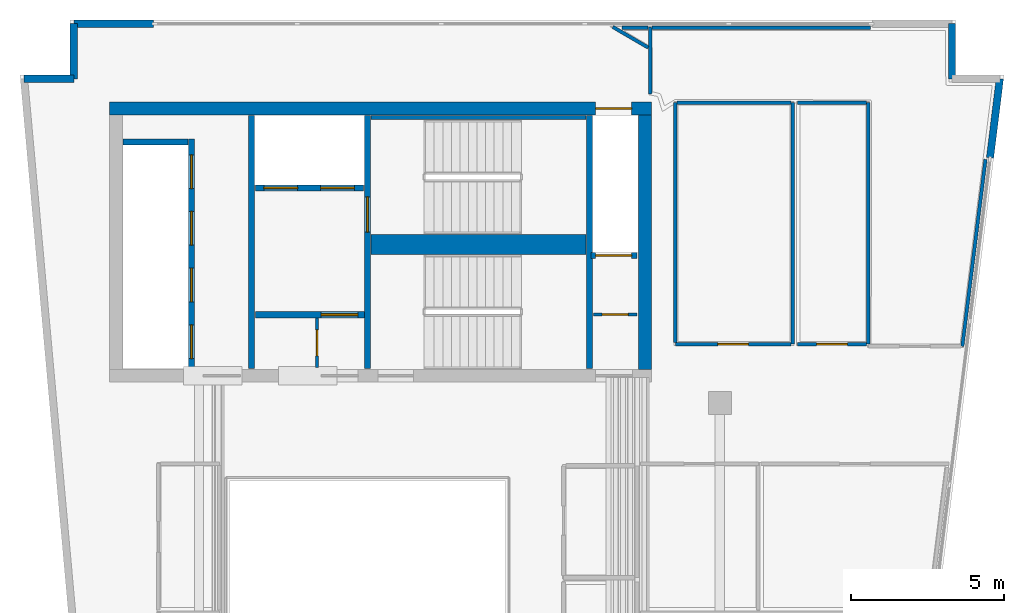
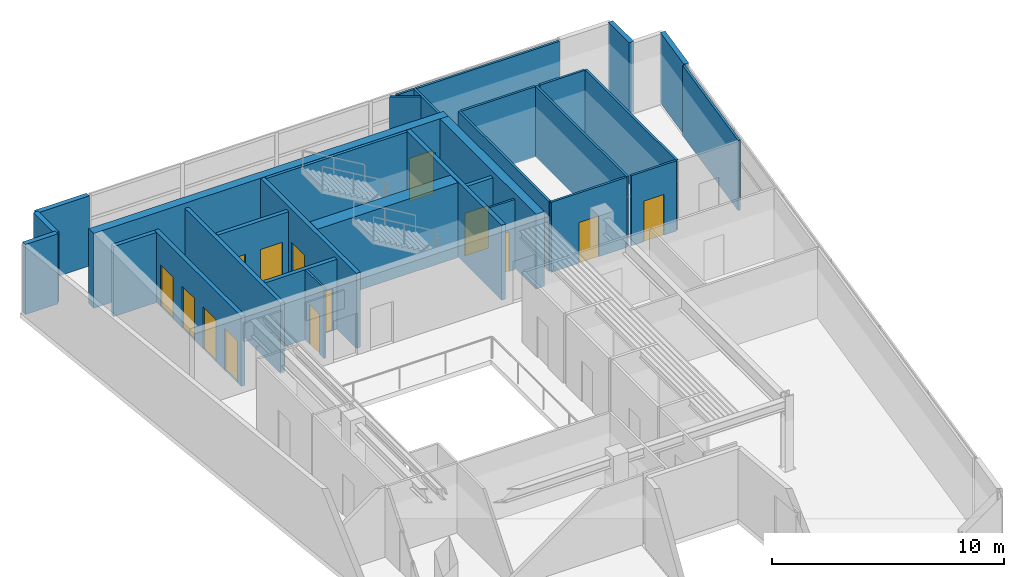
# One storey, part 5 of 8: 31 walls, 14 doors, 14 openings.
"""IFC4 building model written with IfcOpenShell, lengths in metres."""

from ifc_helpers import new_model, si_unit, direction, frame, frame_2d, origin, place, context, subcontext, project, spatial, rectangle, extrude, material, layer, layer_set, type_object, element, fill, save


model = new_model("IFC4")

# Units and contexts
model_context = context("Model", 3, precision=1e-05, world=origin(), true_north=direction((0.0, 1.0)))
body_context = subcontext(model_context, "Body", "Model", "MODEL_VIEW")
ifc_project = project(units=[si_unit("LENGTHUNIT", "METRE"), si_unit("AREAUNIT", "SQUARE_METRE"), si_unit("VOLUMEUNIT", "CUBIC_METRE"), si_unit("PLANEANGLEUNIT", "RADIAN"), si_unit("MASSUNIT", "GRAM", prefix="KILO")], contexts=[model_context])

# Site, building, storey
site_placement = place(None, origin())
site = spatial("IfcSite", under=ifc_project, at=site_placement, CompositionType="ELEMENT")
building_placement = place(site_placement, origin())
building = spatial("IfcBuilding", under=site, at=building_placement, Name="Caeloran Harvest Quay", CompositionType="ELEMENT")
storey_placement = place(building_placement, frame((0.0, 0.0, 268.550048828125)))
storey = spatial("IfcBuildingStorey", under=building, at=storey_placement, Name="L64", CompositionType="ELEMENT", Elevation=268.550048828125)

# Walls
ifc_material_1 = material(Name="Precast concrete C50/60", Category="concrete")
ifc_layer_1 = layer(ifc_material_1, 0.239990234375, Name="Precast concrete C50/60")
ifc_layer_set_1 = layer_set([ifc_layer_1], Name="Precast concrete C50/60")
wall_type_1 = type_object("IfcWallType", Name="ENV-WALL-EW-240", PredefinedType="STANDARD", material=ifc_layer_set_1)
wall_1_placement = place(storey_placement, frame((2.793212890625, 41.580078125, 0.0), z_axis=(0.0, 0.0, 1.0), x_axis=(1.0, 0.0, 0.0)))
element("IfcWall", 1, at=wall_1_placement, inside=storey, type_object=wall_type_1, Name="L64 Exterior Precast Concrete Facade Wall 4", PredefinedType="STANDARD", context=body_context, shape_type="SweptSolid", body=[
    extrude(rectangle(XDim=1.626708984375, YDim=0.239990234375, at=frame_2d((0.8134765625, 0.0))), origin(), (0.0, 0.0, 1.0), 3.699951171875),
])
wall_2_placement = place(storey_placement, frame((4.419921875, 41.580078125, 0.0), z_axis=(0.0, 0.0, 1.0), x_axis=(0.0, 1.0, 0.0)))
element("IfcWall", 2, at=wall_2_placement, inside=storey, type_object=wall_type_1, Name="L64 Exterior Precast Concrete Facade Wall 5", PredefinedType="STANDARD", context=body_context, shape_type="SweptSolid", body=[
    extrude(rectangle(XDim=1.7998046875, YDim=0.239990234375, at=frame_2d((0.89990234375, 0.0))), origin(), (0.0, 0.0, 1.0), 3.699951171875),
])
wall_3_placement = place(storey_placement, frame((4.419921875, 43.3798828125, 0.0), z_axis=(0.0, 0.0, 1.0), x_axis=(1.0, 0.0, 0.0)))
element("IfcWall", 3, at=wall_3_placement, inside=storey, type_object=wall_type_1, Name="L64 Exterior Facade Corner Pier Wall 6A", PredefinedType="STANDARD", context=body_context, shape_type="SweptSolid", body=[
    extrude(rectangle(XDim=2.60009765625, YDim=0.239990234375, at=frame_2d((1.300048828125, 0.0))), origin(), (0.0, 0.0, 1.0), 3.699951171875),
])
wall_4_placement = place(storey_placement, frame((33.080078125, 43.3798828125, 0.0), z_axis=(0.0, 0.0, 1.0), x_axis=(0.0, -1.0, 0.0)))
element("IfcWall", 4, at=wall_4_placement, inside=storey, type_object=wall_type_1, Name="L64 Exterior Precast Concrete Facade Wall 7", PredefinedType="STANDARD", context=body_context, shape_type="SweptSolid", body=[
    extrude(rectangle(XDim=1.7998046875, YDim=0.239990234375, at=frame_2d((0.89990234375, 0.0))), origin(), (0.0, 0.0, 1.0), 3.699951171875),
])
wall_5_placement = place(storey_placement, frame((34.640869140625, 41.580078125, 0.0), z_axis=(0.0, 0.0, 1.0), x_axis=(-0.123191073593, -0.992382970121, 0.0)))
element("IfcWall", 5, at=wall_5_placement, inside=storey, type_object=wall_type_1, Name="L64 Exterior Facade Corner Pier Wall 9A", PredefinedType="STANDARD", context=body_context, shape_type="SweptSolid", body=[
    extrude(rectangle(XDim=2.60009765625, YDim=0.239990234375, at=frame_2d((1.300048828125, 0.0))), origin(), (0.0, 0.0, 1.0), 3.699951171875),
])

# Wall, opening, door
ifc_material_2 = material(Name="Fire-Resisting Gypsum Core Riser Partition", Category="gypsum")
ifc_layer_2 = layer(ifc_material_2, 0.10009765625, Name="Fire-Resisting Gypsum Core Riser Partition")
ifc_layer_set_2 = layer_set([ifc_layer_2], Name="Fire-Resisting Gypsum Core Riser Partition")
wall_type_2 = type_object("IfcWallType", Name="INT-WALL-PW-100", PredefinedType="PARTITIONING", material=ifc_layer_set_2)
wall_6_placement = place(storey_placement, frame((12.360107421875, 32.159912109375, 0.0), z_axis=(0.0, 0.0, 1.0), x_axis=(0.0, 1.0, 0.0)))
wall_6 = element("IfcWall", 6, at=wall_6_placement, inside=storey, type_object=wall_type_2, Name="L64 Core Store Partition Wall", PredefinedType="PARTITIONING", context=body_context, shape_type="SweptSolid", body=[
    extrude(rectangle(XDim=1.6201171875, YDim=0.10009765625, at=frame_2d((0.81005859375, 0.0))), origin(), (0.0, 0.0, 1.0), 3.699951171875),
])
opening_1_placement = place(wall_6_placement, frame((0.3798828125, 0.0, 0.0)))
opening_1 = element("IfcOpeningElement", 7, at=opening_1_placement, cuts=wall_6, Name="Opening SV-01", PredefinedType="OPENING", context=body_context, shape_type="SweptSolid", body=[
    extrude(rectangle(XDim=0.85009765625, YDim=2.10009765625, at=frame_2d((0.425048828125, 1.050048828125))), frame((0.0, 0.06005859375, 0.0), z_axis=(0.0, -1.0, 0.0), x_axis=(1.0, 0.0, 0.0)), (0.0, 0.0, 1.0), 0.1201171875),
])
ifc_material_3 = material(Name="Galvanized Painted Steel", Category="steel")
door_type_1 = type_object("IfcDoorType", Name="INTDOOR-SV-01", OperationType="NOTDEFINED", PredefinedType="DOOR", material=ifc_material_3)
door_1_placement = place(opening_1_placement, origin())
door_1 = element("IfcDoor", 8, at=door_1_placement, inside=storey, type_object=door_type_1, Name="L64 Core Service Room Access Door", OperationType="SINGLE_SWING_LEFT", OverallHeight=2.10009765625, OverallWidth=0.85009765625, PredefinedType="DOOR", context=body_context, shape_type="SweptSolid", body=[
    extrude(rectangle(XDim=0.85009765625, YDim=2.10009765625, at=frame_2d((0.425048828125, 1.050048828125))), frame((0.0, 0.02490234375, 0.0), z_axis=(0.0, -1.0, 0.0), x_axis=(1.0, 0.0, 0.0)), (0.0, 0.0, 1.0), 0.050048828125),
])
fill(opening_1, door_1)

wall_7_placement = place(storey_placement, frame((21.3798828125, 33.889892578125, 0.0), z_axis=(0.0, 0.0, 1.0), x_axis=(1.0, 0.0, 0.0)))
wall_7 = element("IfcWall", 9, at=wall_7_placement, inside=storey, type_object=wall_type_2, Name="L64 Cleaner Store Partition Wall", PredefinedType="PARTITIONING", context=body_context, shape_type="SweptSolid", body=[
    extrude(rectangle(XDim=1.420166015625, YDim=0.10009765625, at=frame_2d((0.7099609375, 0.0))), origin(), (0.0, 0.0, 1.0), 3.699951171875),
])
opening_2_placement = place(wall_7_placement, frame((0.280029296875, 0.0, 0.0)))
opening_2 = element("IfcOpeningElement", 10, at=opening_2_placement, cuts=wall_7, Name="Opening SV-01", PredefinedType="OPENING", context=body_context, shape_type="SweptSolid", body=[
    extrude(rectangle(XDim=0.85009765625, YDim=2.10009765625, at=frame_2d((0.425048828125, 1.050048828125))), frame((0.0, 0.06005859375, 0.0), z_axis=(0.0, -1.0, 0.0), x_axis=(1.0, 0.0, 0.0)), (0.0, 0.0, 1.0), 0.1201171875),
])
door_2_placement = place(opening_2_placement, origin())
door_2 = element("IfcDoor", 11, at=door_2_placement, inside=storey, type_object=door_type_1, Name="L64 Cleaner Supply Store Access Door", OperationType="SINGLE_SWING_RIGHT", OverallHeight=2.10009765625, OverallWidth=0.85009765625, PredefinedType="DOOR", context=body_context, shape_type="SweptSolid", body=[
    extrude(rectangle(XDim=0.85009765625, YDim=2.10009765625, at=frame_2d((0.425048828125, 1.050048828125))), frame((0.0, 0.02490234375, 0.0), z_axis=(0.0, -1.0, 0.0), x_axis=(1.0, 0.0, 0.0)), (0.0, 0.0, 1.0), 0.050048828125),
])
fill(opening_2, door_2)

# Wall
ifc_material_4 = material(Name="Single-Stud Acoustic Gypsum Office Partition", Category="gypsum")
ifc_layer_3 = layer(ifc_material_4, 0.112060546875, Name="Single-Stud Acoustic Gypsum Office Partition")
ifc_layer_set_3 = layer_set([ifc_layer_3], Name="Single-Stud Acoustic Gypsum Office Partition")
wall_type_3 = type_object("IfcWallType", Name="INT-WALL-PW-112", PredefinedType="PARTITIONING", material=ifc_layer_set_3)
wall_8_placement = place(storey_placement, frame((27.8798828125, 40.800048828125, 0.0), z_axis=(0.0, 0.0, 1.0), x_axis=(0.0, -1.0, 0.0)))
element("IfcWall", 12, at=wall_8_placement, inside=storey, type_object=wall_type_3, Name="L64 Crop Phenotyping West Laboratory Partition Wall", PredefinedType="PARTITIONING", context=body_context, shape_type="SweptSolid", body=[
    extrude(rectangle(XDim=7.880126953125, YDim=0.112060546875, at=frame_2d((3.93994140625, 0.0))), origin(), (0.0, 0.0, 1.0), 3.699951171875),
])

# Wall, opening, door
wall_9_placement = place(storey_placement, frame((27.819091796875, 32.919921875, 0.0), z_axis=(0.0, 0.0, 1.0), x_axis=(-1.0, 0.0, 0.0)))
wall_9 = element("IfcWall", 13, at=wall_9_placement, inside=storey, type_object=wall_type_3, Name="L64 Crop Phenotyping West Laboratory Partition Wall", PredefinedType="PARTITIONING", context=body_context, shape_type="SweptSolid", body=[
    extrude(rectangle(XDim=3.76904296875, YDim=0.112060546875, at=frame_2d((1.884521484375, 0.0))), origin(), (0.0, 0.0, 1.0), 3.699951171875),
])
opening_3_placement = place(wall_9_placement, frame((1.384521484375, 0.0, 0.0)))
opening_3 = element("IfcOpeningElement", 14, at=opening_3_placement, cuts=wall_9, Name="Opening ID-01", PredefinedType="OPENING", context=body_context, shape_type="SweptSolid", body=[
    extrude(rectangle(XDim=1.0, YDim=2.14990234375, at=frame_2d((0.5, 1.074951171875))), frame((0.0, 0.06591796875, 0.0), z_axis=(0.0, -1.0, 0.0), x_axis=(1.0, 0.0, 0.0)), (0.0, 0.0, 1.0), 0.132080078125),
])
ifc_material_5 = material(Name="FSC Solid-Core Ash Timber and Acoustic Seal", Category="wood")
door_type_2 = type_object("IfcDoorType", Name="INTDOOR-ID-01", OperationType="NOTDEFINED", PredefinedType="DOOR", material=ifc_material_5)
door_3_placement = place(opening_3_placement, origin())
door_3 = element("IfcDoor", 15, at=door_3_placement, inside=storey, type_object=door_type_2, Name="L64 Crop Phenotyping West Laboratory Access Door", OperationType="SINGLE_SWING_LEFT", OverallHeight=2.14990234375, OverallWidth=1.0, PredefinedType="DOOR", context=body_context, shape_type="SweptSolid", body=[
    extrude(rectangle(XDim=1.0, YDim=2.14990234375, at=frame_2d((0.5, 1.074951171875))), frame((0.0, 0.02490234375, 0.0), z_axis=(0.0, -1.0, 0.0), x_axis=(1.0, 0.0, 0.0)), (0.0, 0.0, 1.0), 0.050048828125),
])
fill(opening_3, door_3)

# Walls
wall_10_placement = place(storey_placement, frame((24.050048828125, 32.98095703125, 0.0), z_axis=(0.0, 0.0, 1.0), x_axis=(0.0, 1.0, 0.0)))
element("IfcWall", 16, at=wall_10_placement, inside=storey, type_object=wall_type_3, Name="L64 Crop Phenotyping West Laboratory Partition Wall", PredefinedType="PARTITIONING", context=body_context, shape_type="SweptSolid", body=[
    extrude(rectangle(XDim=7.819091796875, YDim=0.112060546875, at=frame_2d((3.90966796875, 0.0))), origin(), (0.0, 0.0, 1.0), 3.699951171875),
])
wall_11_placement = place(storey_placement, frame((24.111083984375, 40.800048828125, 0.0), z_axis=(0.0, 0.0, 1.0), x_axis=(1.0, 0.0, 0.0)))
element("IfcWall", 17, at=wall_11_placement, inside=storey, type_object=wall_type_3, Name="L64 Crop Phenotyping West Laboratory Partition Wall", PredefinedType="PARTITIONING", context=body_context, shape_type="SweptSolid", body=[
    extrude(rectangle(XDim=3.7080078125, YDim=0.112060546875, at=frame_2d((1.85400390625, 0.0))), origin(), (0.0, 0.0, 1.0), 3.699951171875),
])
wall_12_placement = place(storey_placement, frame((30.35009765625, 40.800048828125, 0.0), z_axis=(0.0, 0.0, 1.0), x_axis=(0.0, -1.0, 0.0)))
element("IfcWall", 18, at=wall_12_placement, inside=storey, type_object=wall_type_3, Name="L64 Genomics Sequencing East Studio Partition Wall", PredefinedType="PARTITIONING", context=body_context, shape_type="SweptSolid", body=[
    extrude(rectangle(XDim=7.880126953125, YDim=0.112060546875, at=frame_2d((3.93994140625, 0.0))), origin(), (0.0, 0.0, 1.0), 3.699951171875),
])

# Wall, opening, door
wall_13_placement = place(storey_placement, frame((30.2890625, 32.919921875, 0.0), z_axis=(0.0, 0.0, 1.0), x_axis=(-1.0, 0.0, 0.0)))
wall_13 = element("IfcWall", 19, at=wall_13_placement, inside=storey, type_object=wall_type_3, Name="L64 Genomics Sequencing East Studio Partition Wall", PredefinedType="PARTITIONING", context=body_context, shape_type="SweptSolid", body=[
    extrude(rectangle(XDim=2.2490234375, YDim=0.112060546875, at=frame_2d((1.12451171875, 0.0))), origin(), (0.0, 0.0, 1.0), 3.699951171875),
])
opening_4_placement = place(wall_13_placement, frame((0.62451171875, 0.0, 0.0)))
opening_4 = element("IfcOpeningElement", 20, at=opening_4_placement, cuts=wall_13, Name="Opening ID-01", PredefinedType="OPENING", context=body_context, shape_type="SweptSolid", body=[
    extrude(rectangle(XDim=1.0, YDim=2.14990234375, at=frame_2d((0.5, 1.074951171875))), frame((0.0, 0.06591796875, 0.0), z_axis=(0.0, -1.0, 0.0), x_axis=(1.0, 0.0, 0.0)), (0.0, 0.0, 1.0), 0.132080078125),
])
door_4_placement = place(opening_4_placement, origin())
door_4 = element("IfcDoor", 21, at=door_4_placement, inside=storey, type_object=door_type_2, Name="L64 Genomics Sequencing East Studio Access Door", OperationType="SINGLE_SWING_RIGHT", OverallHeight=2.14990234375, OverallWidth=1.0, PredefinedType="DOOR", context=body_context, shape_type="SweptSolid", body=[
    extrude(rectangle(XDim=1.0, YDim=2.14990234375, at=frame_2d((0.5, 1.074951171875))), frame((0.0, 0.02490234375, 0.0), z_axis=(0.0, -1.0, 0.0), x_axis=(1.0, 0.0, 0.0)), (0.0, 0.0, 1.0), 0.050048828125),
])
fill(opening_4, door_4)

# Walls
wall_14_placement = place(storey_placement, frame((28.0400390625, 40.800048828125, 0.0), z_axis=(0.0, 0.0, 1.0), x_axis=(1.0, 0.0, 0.0)))
element("IfcWall", 22, at=wall_14_placement, inside=storey, type_object=wall_type_3, Name="L64 Genomics Sequencing East Studio Partition Wall", PredefinedType="PARTITIONING", context=body_context, shape_type="SweptSolid", body=[
    extrude(rectangle(XDim=2.2490234375, YDim=0.112060546875, at=frame_2d((1.12451171875, 0.0))), origin(), (0.0, 0.0, 1.0), 3.699951171875),
])
wall_15_placement = place(storey_placement, frame((23.22998046875, 41.093017578125, 0.0), z_axis=(0.0, 0.0, 1.0), x_axis=(-0.002685455238, 0.999996394159, 0.0)))
element("IfcWall", 23, at=wall_15_placement, inside=storey, type_object=wall_type_3, Name="International Policy Conference Room 9 Partition Wall", PredefinedType="PARTITIONING", context=body_context, shape_type="SweptSolid", body=[
    extrude(rectangle(XDim=2.181884765625, YDim=0.112060546875, at=frame_2d((1.0908203125, 0.0))), origin(), (0.0, 0.0, 1.0), 3.699951171875),
])
wall_16_placement = place(storey_placement, frame((23.164794921875, 42.599609375, 0.0), z_axis=(0.0, 0.0, 1.0), x_axis=(-0.863606966756, 0.504165654295, 0.0)))
element("IfcWall", 24, at=wall_16_placement, inside=storey, type_object=wall_type_3, Name="International Policy Conference Room 9 Partition Wall", PredefinedType="PARTITIONING", context=body_context, shape_type="SweptSolid", body=[
    extrude(rectangle(XDim=1.33935546875, YDim=0.112060546875, at=frame_2d((0.669677734375, 0.0))), origin(), (0.0, 0.0, 1.0), 3.699951171875),
])
wall_17_placement = place(storey_placement, frame((22.31396484375, 43.239990234375, 0.0), z_axis=(0.0, 0.0, 1.0), x_axis=(1.0, 0.0, 0.0)))
element("IfcWall", 25, at=wall_17_placement, inside=storey, type_object=wall_type_3, Name="International Policy Conference Room 9 Partition Wall", PredefinedType="PARTITIONING", context=body_context, shape_type="SweptSolid", body=[
    extrude(rectangle(XDim=0.84912109375, YDim=0.112060546875, at=frame_2d((0.424560546875, 0.0))), origin(), (0.0, 0.0, 1.0), 3.699951171875),
])
wall_18_placement = place(storey_placement, frame((23.28515625, 43.239990234375, 0.0), z_axis=(0.0, 0.0, 1.0), x_axis=(1.0, 0.0, 0.0)))
element("IfcWall", 26, at=wall_18_placement, inside=storey, type_object=wall_type_3, Name="International Policy Conference Room 9 Partition Wall", PredefinedType="PARTITIONING", context=body_context, shape_type="SweptSolid", body=[
    extrude(rectangle(XDim=7.1298828125, YDim=0.112060546875, at=frame_2d((3.56494140625, 0.0))), origin(), (0.0, 0.0, 1.0), 3.699951171875),
])
wall_19_placement = place(storey_placement, frame((34.17333984375, 38.95263671875, 0.0), z_axis=(0.0, 0.0, 1.0), x_axis=(-0.123155137196, -0.992387430484, 0.0)))
element("IfcWall", 27, at=wall_19_placement, inside=storey, type_object=wall_type_3, Name="International Policy Conference Room 9 Partition Wall", PredefinedType="PARTITIONING", context=body_context, shape_type="SweptSolid", body=[
    extrude(rectangle(XDim=6.1494140625, YDim=0.112060546875, at=frame_2d((3.07470703125, 0.0))), origin(), (0.0, 0.0, 1.0), 3.699951171875),
])

# Wall, openings, doors
ifc_material_6 = material(Name="Concrete C50/60", Category="concrete")
ifc_layer_4 = layer(ifc_material_6, 0.199951171875, Name="Concrete C50/60")
ifc_layer_set_4 = layer_set([ifc_layer_4], Name="Concrete C50/60")
wall_type_4 = type_object("IfcWallType", Name="INT-WALL-SW-200", PredefinedType="PARTITIONING", material=ifc_layer_set_4)
wall_20_placement = place(storey_placement, frame((8.260009765625, 32.1201171875, 0.0), z_axis=(0.0, 0.0, 1.0), x_axis=(0.0, 1.0, 0.0)))
wall_20 = element("IfcWall", 28, at=wall_20_placement, inside=storey, type_object=wall_type_4, Name="L64 Bank 3 Lift Shaft Wall", PredefinedType="PARTITIONING", context=body_context, shape_type="SweptSolid", body=[
    extrude(rectangle(XDim=7.5, YDim=0.199951171875, at=frame_2d((3.75, 0.0))), origin(), (0.0, 0.0, 1.0), 3.699951171875),
])
opening_5_placement = place(wall_20_placement, frame((0.330078125, 0.0, 0.0)))
opening_5 = element("IfcOpeningElement", 29, at=opening_5_placement, cuts=wall_20, Name="Opening LD-01", PredefinedType="OPENING", context=body_context, shape_type="SweptSolid", body=[
    extrude(rectangle(XDim=1.10009765625, YDim=2.199951171875, at=frame_2d((0.550048828125, 1.10009765625))), frame((0.0, 0.10986328125, 0.0), z_axis=(0.0, -1.0, 0.0), x_axis=(1.0, 0.0, 0.0)), (0.0, 0.0, 1.0), 0.219970703125),
])
opening_6_placement = place(wall_20_placement, frame((2.179931640625, 0.0, 0.0)))
opening_6 = element("IfcOpeningElement", 30, at=opening_6_placement, cuts=wall_20, Name="Opening LD-01", PredefinedType="OPENING", context=body_context, shape_type="SweptSolid", body=[
    extrude(rectangle(XDim=1.10009765625, YDim=2.199951171875, at=frame_2d((0.550048828125, 1.10009765625))), frame((0.0, 0.10986328125, 0.0), z_axis=(0.0, -1.0, 0.0), x_axis=(1.0, 0.0, 0.0)), (0.0, 0.0, 1.0), 0.219970703125),
])
opening_7_placement = place(wall_20_placement, frame((4.030029296875, 0.0, 0.0)))
opening_7 = element("IfcOpeningElement", 31, at=opening_7_placement, cuts=wall_20, Name="Opening LD-01", PredefinedType="OPENING", context=body_context, shape_type="SweptSolid", body=[
    extrude(rectangle(XDim=1.10009765625, YDim=2.199951171875, at=frame_2d((0.550048828125, 1.10009765625))), frame((0.0, 0.10986328125, 0.0), z_axis=(0.0, -1.0, 0.0), x_axis=(1.0, 0.0, 0.0)), (0.0, 0.0, 1.0), 0.219970703125),
])
opening_8_placement = place(wall_20_placement, frame((5.8798828125, 0.0, 0.0)))
opening_8 = element("IfcOpeningElement", 32, at=opening_8_placement, cuts=wall_20, Name="Opening LD-01", PredefinedType="OPENING", context=body_context, shape_type="SweptSolid", body=[
    extrude(rectangle(XDim=1.10009765625, YDim=2.199951171875, at=frame_2d((0.550048828125, 1.10009765625))), frame((0.0, 0.10986328125, 0.0), z_axis=(0.0, -1.0, 0.0), x_axis=(1.0, 0.0, 0.0)), (0.0, 0.0, 1.0), 0.219970703125),
])
ifc_material_7 = material(Name="Stainless Steel Grade 316", Category="steel")
door_type_3 = type_object("IfcDoorType", Name="INTDOOR-LD-01", OperationType="NOTDEFINED", PredefinedType="DOOR", material=ifc_material_7)
door_5_placement = place(opening_5_placement, origin())
door_5 = element("IfcDoor", 33, at=door_5_placement, inside=storey, type_object=door_type_3, Name="Lift P3-1 Sliding Landing Door (L64)", OperationType="DOUBLE_DOOR_SLIDING", OverallHeight=2.199951171875, OverallWidth=1.10009765625, PredefinedType="DOOR", context=body_context, shape_type="SweptSolid", body=[
    extrude(rectangle(XDim=1.10009765625, YDim=2.199951171875, at=frame_2d((0.550048828125, 1.10009765625))), frame((0.0, 0.02490234375, 0.0), z_axis=(0.0, -1.0, 0.0), x_axis=(1.0, 0.0, 0.0)), (0.0, 0.0, 1.0), 0.050048828125),
])
fill(opening_5, door_5)
door_6_placement = place(opening_6_placement, origin())
door_6 = element("IfcDoor", 34, at=door_6_placement, inside=storey, type_object=door_type_3, Name="Lift P3-2 Sliding Landing Door (L64)", OperationType="DOUBLE_DOOR_SLIDING", OverallHeight=2.199951171875, OverallWidth=1.10009765625, PredefinedType="DOOR", context=body_context, shape_type="SweptSolid", body=[
    extrude(rectangle(XDim=1.10009765625, YDim=2.199951171875, at=frame_2d((0.550048828125, 1.10009765625))), frame((0.0, 0.02490234375, 0.0), z_axis=(0.0, -1.0, 0.0), x_axis=(1.0, 0.0, 0.0)), (0.0, 0.0, 1.0), 0.050048828125),
])
fill(opening_6, door_6)
door_7_placement = place(opening_7_placement, origin())
door_7 = element("IfcDoor", 35, at=door_7_placement, inside=storey, type_object=door_type_3, Name="Lift P3-3 Sliding Landing Door (L64)", OperationType="DOUBLE_DOOR_SLIDING", OverallHeight=2.199951171875, OverallWidth=1.10009765625, PredefinedType="DOOR", context=body_context, shape_type="SweptSolid", body=[
    extrude(rectangle(XDim=1.10009765625, YDim=2.199951171875, at=frame_2d((0.550048828125, 1.10009765625))), frame((0.0, 0.02490234375, 0.0), z_axis=(0.0, -1.0, 0.0), x_axis=(1.0, 0.0, 0.0)), (0.0, 0.0, 1.0), 0.050048828125),
])
fill(opening_7, door_7)
door_8_placement = place(opening_8_placement, origin())
door_8 = element("IfcDoor", 36, at=door_8_placement, inside=storey, type_object=door_type_3, Name="Lift P3-4 Sliding Landing Door (L64)", OperationType="DOUBLE_DOOR_SLIDING", OverallHeight=2.199951171875, OverallWidth=1.10009765625, PredefinedType="DOOR", context=body_context, shape_type="SweptSolid", body=[
    extrude(rectangle(XDim=1.10009765625, YDim=2.199951171875, at=frame_2d((0.550048828125, 1.10009765625))), frame((0.0, 0.02490234375, 0.0), z_axis=(0.0, -1.0, 0.0), x_axis=(1.0, 0.0, 0.0)), (0.0, 0.0, 1.0), 0.050048828125),
])
fill(opening_8, door_8)

# Walls
wall_21_placement = place(storey_placement, frame((6.02001953125, 39.52001953125, 0.0), z_axis=(0.0, 0.0, 1.0), x_axis=(1.0, 0.0, 0.0)))
element("IfcWall", 37, at=wall_21_placement, inside=storey, type_object=wall_type_4, Name="L64 Bank 3 Lift Shaft North End Wall", PredefinedType="PARTITIONING", context=body_context, shape_type="SweptSolid", body=[
    extrude(rectangle(XDim=2.119873046875, YDim=0.199951171875, at=frame_2d((1.06005859375, 0.0))), origin(), (0.0, 0.0, 1.0), 3.699951171875),
])
wall_22_placement = place(storey_placement, frame((10.219970703125, 32.1201171875, 0.0), z_axis=(0.0, 0.0, 1.0), x_axis=(0.0, 1.0, 0.0)))
element("IfcWall", 38, at=wall_22_placement, inside=storey, type_object=wall_type_4, Name="L64 Core Lobby Compartment Wall", PredefinedType="PARTITIONING", context=body_context, shape_type="SweptSolid", body=[
    extrude(rectangle(XDim=8.259765625, YDim=0.199951171875, at=frame_2d((4.1298828125, 0.0))), origin(), (0.0, 0.0, 1.0), 3.699951171875),
])

# Wall, openings, doors
wall_23_placement = place(storey_placement, frame((10.340087890625, 38.02001953125, 0.0), z_axis=(0.0, 0.0, 1.0), x_axis=(1.0, 0.0, 0.0)))
wall_23 = element("IfcWall", 39, at=wall_23_placement, inside=storey, type_object=wall_type_4, Name="L64 Firefighting Lift Shaft Wall", PredefinedType="PARTITIONING", context=body_context, shape_type="SweptSolid", body=[
    extrude(rectangle(XDim=3.539794921875, YDim=0.199951171875, at=frame_2d((1.77001953125, 0.0))), origin(), (0.0, 0.0, 1.0), 3.699951171875),
])
opening_9_placement = place(wall_23_placement, frame((0.284912109375, 0.0, 0.0)))
opening_9 = element("IfcOpeningElement", 40, at=opening_9_placement, cuts=wall_23, Name="Opening LD-01", PredefinedType="OPENING", context=body_context, shape_type="SweptSolid", body=[
    extrude(rectangle(XDim=1.10009765625, YDim=2.199951171875, at=frame_2d((0.550048828125, 1.10009765625))), frame((0.0, 0.10986328125, 0.0), z_axis=(0.0, -1.0, 0.0), x_axis=(1.0, 0.0, 0.0)), (0.0, 0.0, 1.0), 0.219970703125),
])
opening_10_placement = place(wall_23_placement, frame((2.135009765625, 0.0, 0.0)))
opening_10 = element("IfcOpeningElement", 41, at=opening_10_placement, cuts=wall_23, Name="Opening LD-01", PredefinedType="OPENING", context=body_context, shape_type="SweptSolid", body=[
    extrude(rectangle(XDim=1.10009765625, YDim=2.199951171875, at=frame_2d((0.550048828125, 1.10009765625))), frame((0.0, 0.10986328125, 0.0), z_axis=(0.0, -1.0, 0.0), x_axis=(1.0, 0.0, 0.0)), (0.0, 0.0, 1.0), 0.219970703125),
])
door_9_placement = place(opening_9_placement, origin())
door_9 = element("IfcDoor", 42, at=door_9_placement, inside=storey, type_object=door_type_3, Name="Lift FF-1 Sliding Landing Door (L64)", OperationType="DOUBLE_DOOR_SLIDING", OverallHeight=2.199951171875, OverallWidth=1.10009765625, PredefinedType="DOOR", context=body_context, shape_type="SweptSolid", body=[
    extrude(rectangle(XDim=1.10009765625, YDim=2.199951171875, at=frame_2d((0.550048828125, 1.10009765625))), frame((0.0, 0.02490234375, 0.0), z_axis=(0.0, -1.0, 0.0), x_axis=(1.0, 0.0, 0.0)), (0.0, 0.0, 1.0), 0.050048828125),
])
fill(opening_9, door_9)
door_10_placement = place(opening_10_placement, origin())
door_10 = element("IfcDoor", 43, at=door_10_placement, inside=storey, type_object=door_type_3, Name="Lift FF-2 Sliding Landing Door (L64)", OperationType="DOUBLE_DOOR_SLIDING", OverallHeight=2.199951171875, OverallWidth=1.10009765625, PredefinedType="DOOR", context=body_context, shape_type="SweptSolid", body=[
    extrude(rectangle(XDim=1.10009765625, YDim=2.199951171875, at=frame_2d((0.550048828125, 1.10009765625))), frame((0.0, 0.02490234375, 0.0), z_axis=(0.0, -1.0, 0.0), x_axis=(1.0, 0.0, 0.0)), (0.0, 0.0, 1.0), 0.050048828125),
])
fill(opening_10, door_10)

# Wall, opening, door
wall_24_placement = place(storey_placement, frame((10.340087890625, 33.8798828125, 0.0), z_axis=(0.0, 0.0, 1.0), x_axis=(1.0, 0.0, 0.0)))
wall_24 = element("IfcWall", 44, at=wall_24_placement, inside=storey, type_object=wall_type_4, Name="L64 Firefighting Lift Lobby Enclosure Wall", PredefinedType="PARTITIONING", context=body_context, shape_type="SweptSolid", body=[
    extrude(rectangle(XDim=3.559814453125, YDim=0.199951171875, at=frame_2d((1.77978515625, 0.0))), origin(), (0.0, 0.0, 1.0), 3.699951171875),
])
opening_11_placement = place(wall_24_placement, frame((2.14990234375, 0.0, 0.0)))
opening_11 = element("IfcOpeningElement", 45, at=opening_11_placement, cuts=wall_24, Name="Opening FD-01", PredefinedType="OPENING", context=body_context, shape_type="SweptSolid", body=[
    extrude(rectangle(XDim=1.199951171875, YDim=2.199951171875, at=frame_2d((0.60009765625, 1.10009765625))), frame((0.0, 0.10986328125, 0.0), z_axis=(0.0, -1.0, 0.0), x_axis=(1.0, 0.0, 0.0)), (0.0, 0.0, 1.0), 0.219970703125),
])
ifc_material_8 = material(Name="Steel", Category="steel")
door_type_4 = type_object("IfcDoorType", Name="INTDOOR-FD-01", OperationType="NOTDEFINED", PredefinedType="DOOR", material=ifc_material_8)
door_11_placement = place(opening_11_placement, origin())
door_11 = element("IfcDoor", 46, at=door_11_placement, inside=storey, type_object=door_type_4, Name="L64 Firefighting Lift Lobby Smoke-Seal Fire Door", OperationType="SINGLE_SWING_RIGHT", OverallHeight=2.199951171875, OverallWidth=1.199951171875, PredefinedType="DOOR", context=body_context, shape_type="SweptSolid", body=[
    extrude(rectangle(XDim=1.199951171875, YDim=2.199951171875, at=frame_2d((0.60009765625, 1.10009765625))), frame((0.0, 0.02490234375, 0.0), z_axis=(0.0, -1.0, 0.0), x_axis=(1.0, 0.0, 0.0)), (0.0, 0.0, 1.0), 0.050048828125),
])
fill(opening_11, door_11)

wall_25_placement = place(storey_placement, frame((21.300048828125, 35.820068359375, 0.0), z_axis=(0.0, 0.0, 1.0), x_axis=(1.0, 0.0, 0.0)))
wall_25 = element("IfcWall", 47, at=wall_25_placement, inside=storey, type_object=wall_type_4, Name="L64 Service Lift SV-2 Shaft Wall", PredefinedType="PARTITIONING", context=body_context, shape_type="SweptSolid", body=[
    extrude(rectangle(XDim=1.5, YDim=0.199951171875, at=frame_2d((0.75, 0.0))), origin(), (0.0, 0.0, 1.0), 3.699951171875),
])
opening_12_placement = place(wall_25_placement, frame((0.14501953125, 0.0, 0.0)))
opening_12 = element("IfcOpeningElement", 48, at=opening_12_placement, cuts=wall_25, Name="Opening LD-02", PredefinedType="OPENING", context=body_context, shape_type="SweptSolid", body=[
    extrude(rectangle(XDim=1.179931640625, YDim=2.25, at=frame_2d((0.58984375, 1.125))), frame((0.0, 0.10986328125, 0.0), z_axis=(0.0, -1.0, 0.0), x_axis=(1.0, 0.0, 0.0)), (0.0, 0.0, 1.0), 0.219970703125),
])
door_type_5 = type_object("IfcDoorType", Name="INTDOOR-LD-02", OperationType="NOTDEFINED", PredefinedType="DOOR", material=ifc_material_7)
door_12_placement = place(opening_12_placement, origin())
door_12 = element("IfcDoor", 49, at=door_12_placement, inside=storey, type_object=door_type_5, Name="Lift SV-2 Sliding Landing Door (L64)", OperationType="DOUBLE_DOOR_SLIDING", OverallHeight=2.25, OverallWidth=1.179931640625, PredefinedType="DOOR", context=body_context, shape_type="SweptSolid", body=[
    extrude(rectangle(XDim=1.179931640625, YDim=2.25, at=frame_2d((0.58984375, 1.125))), frame((0.0, 0.02490234375, 0.0), z_axis=(0.0, -1.0, 0.0), x_axis=(1.0, 0.0, 0.0)), (0.0, 0.0, 1.0), 0.050048828125),
])
fill(opening_12, door_12)

ifc_material_9 = material(Name="Concrete C60/75", Category="concrete")
ifc_layer_5 = layer(ifc_material_9, 0.419921875, Name="Concrete C60/75")
ifc_layer_set_5 = layer_set([ifc_layer_5], Name="Concrete C60/75")
wall_type_5 = type_object("IfcWallType", Name="STR-WALL-CW-420", PredefinedType="SHEAR", material=ifc_layer_set_5)
wall_26_placement = place(storey_placement, frame((5.580078125, 40.610107421875, 0.0), z_axis=(0.0, 0.0, 1.0), x_axis=(1.0, 0.0, 0.0)))
wall_26 = element("IfcWall", 50, at=wall_26_placement, inside=storey, type_object=wall_type_5, Name="L64 Rear Core Shear Wall N", PredefinedType="SHEAR", context=body_context, shape_type="SweptSolid", body=[
    extrude(rectangle(XDim=17.68994140625, YDim=0.419921875, at=frame_2d((8.844970703125, 0.0))), origin(), (0.0, 0.0, 1.0), 3.949951171875),
])
opening_13_placement = place(wall_26_placement, frame((15.864990234375, 0.0, 0.0)))
opening_13 = element("IfcOpeningElement", 51, at=opening_13_placement, cuts=wall_26, Name="Opening LD-02", PredefinedType="OPENING", context=body_context, shape_type="SweptSolid", body=[
    extrude(rectangle(XDim=1.179931640625, YDim=2.25, at=frame_2d((0.58984375, 1.125))), frame((0.0, 0.219970703125, 0.0), z_axis=(0.0, -1.0, 0.0), x_axis=(1.0, 0.0, 0.0)), (0.0, 0.0, 1.0), 0.43994140625),
])
door_13_placement = place(opening_13_placement, origin())
door_13 = element("IfcDoor", 52, at=door_13_placement, inside=storey, type_object=door_type_5, Name="Lift SV-1 Sliding Landing Door (L64)", OperationType="DOUBLE_DOOR_SLIDING", OverallHeight=2.25, OverallWidth=1.179931640625, PredefinedType="DOOR", context=body_context, shape_type="SweptSolid", body=[
    extrude(rectangle(XDim=1.179931640625, YDim=2.25, at=frame_2d((0.58984375, 1.125))), frame((0.0, 0.02490234375, 0.0), z_axis=(0.0, -1.0, 0.0), x_axis=(1.0, 0.0, 0.0)), (0.0, 0.0, 1.0), 0.050048828125),
])
fill(opening_13, door_13)

# Walls
wall_27_placement = place(storey_placement, frame((23.06005859375, 32.10009765625, 0.0), z_axis=(0.0, 0.0, 1.0), x_axis=(0.0, 1.0, 0.0)))
element("IfcWall", 53, at=wall_27_placement, inside=storey, type_object=wall_type_5, Name="L64 Rear Core Shear Wall E", PredefinedType="SHEAR", context=body_context, shape_type="SweptSolid", body=[
    extrude(rectangle(XDim=8.2998046875, YDim=0.419921875, at=frame_2d((4.14990234375, 0.0))), origin(), (0.0, 0.0, 1.0), 3.949951171875),
])
ifc_layer_6 = layer(ifc_material_9, 0.64990234375, Name="Concrete C60/75")
ifc_layer_set_6 = layer_set([ifc_layer_6], Name="Concrete C60/75")
wall_type_6 = type_object("IfcWallType", Name="STR-WALL-CW-650", PredefinedType="SHEAR", material=ifc_layer_set_6)
wall_28_placement = place(storey_placement, frame((14.1201171875, 36.175048828125, 0.0), z_axis=(0.0, 0.0, 1.0), x_axis=(1.0, 0.0, 0.0)))
element("IfcWall", 54, at=wall_28_placement, inside=storey, type_object=wall_type_6, Name="L64 Core Stairs Dividing Shear Wall", PredefinedType="SHEAR", context=body_context, shape_type="SweptSolid", body=[
    extrude(rectangle(XDim=7.009765625, YDim=0.64990234375, at=frame_2d((3.5048828125, 0.0))), origin(), (0.0, 0.0, 1.0), 3.949951171875),
])
ifc_layer_7 = layer(ifc_material_9, 0.139892578125, Name="Concrete C60/75")
ifc_layer_set_7 = layer_set([ifc_layer_7], Name="Concrete C60/75")
wall_type_7 = type_object("IfcWallType", Name="STR-WALL-SW-140", PredefinedType="SHEAR", material=ifc_layer_set_7)
wall_29_placement = place(storey_placement, frame((14.1201171875, 40.320068359375, 0.0), z_axis=(0.0, 0.0, 1.0), x_axis=(1.0, 0.0, 0.0)))
element("IfcWall", 55, at=wall_29_placement, inside=storey, type_object=wall_type_7, Name="L64 Core Stair ST-C1 North Bearing Shear Wall", PredefinedType="SHEAR", context=body_context, shape_type="SweptSolid", body=[
    extrude(rectangle(XDim=7.009765625, YDim=0.139892578125, at=frame_2d((3.5048828125, 0.0))), origin(), (0.0, 0.0, 1.0), 3.949951171875),
])

# Wall, opening, door
ifc_layer_8 = layer(ifc_material_9, 0.199951171875, Name="Concrete C60/75")
ifc_layer_set_8 = layer_set([ifc_layer_8], Name="Concrete C60/75")
wall_type_8 = type_object("IfcWallType", Name="STR-WALL-SW-200", PredefinedType="SHEAR", material=ifc_layer_set_8)
wall_30_placement = place(storey_placement, frame((14.0, 32.1201171875, 0.0), z_axis=(0.0, 0.0, 1.0), x_axis=(0.0, 1.0, 0.0)))
wall_30 = element("IfcWall", 56, at=wall_30_placement, inside=storey, type_object=wall_type_8, Name="L64 Core Stair Shaft West Shear Wall", PredefinedType="SHEAR", context=body_context, shape_type="SweptSolid", body=[
    extrude(rectangle(XDim=8.259765625, YDim=0.199951171875, at=frame_2d((4.1298828125, 0.0))), origin(), (0.0, 0.0, 1.0), 3.949951171875),
])
opening_14_placement = place(wall_30_placement, frame((4.4599609375, 0.0, 0.0)))
opening_14 = element("IfcOpeningElement", 57, at=opening_14_placement, cuts=wall_30, Name="Opening SD-01", PredefinedType="OPENING", context=body_context, shape_type="SweptSolid", body=[
    extrude(rectangle(XDim=1.14990234375, YDim=2.199951171875, at=frame_2d((0.574951171875, 1.10009765625))), frame((0.0, 0.10986328125, 0.0), z_axis=(0.0, -1.0, 0.0), x_axis=(1.0, 0.0, 0.0)), (0.0, 0.0, 1.0), 0.219970703125),
])
door_type_6 = type_object("IfcDoorType", Name="INTDOOR-SD-01", OperationType="NOTDEFINED", PredefinedType="DOOR", material=ifc_material_8)
door_14_placement = place(opening_14_placement, origin())
door_14 = element("IfcDoor", 58, at=door_14_placement, inside=storey, type_object=door_type_6, Name="L64 Protected Stair ST-C1 Exit Door", OperationType="SINGLE_SWING_LEFT", OverallHeight=2.199951171875, OverallWidth=1.14990234375, PredefinedType="DOOR", context=body_context, shape_type="SweptSolid", body=[
    extrude(rectangle(XDim=1.14990234375, YDim=2.199951171875, at=frame_2d((0.574951171875, 1.10009765625))), frame((0.0, 0.02490234375, 0.0), z_axis=(0.0, -1.0, 0.0), x_axis=(1.0, 0.0, 0.0)), (0.0, 0.0, 1.0), 0.050048828125),
])
fill(opening_14, door_14)

# Wall
wall_31_placement = place(storey_placement, frame((21.25, 32.1201171875, 0.0), z_axis=(0.0, 0.0, 1.0), x_axis=(0.0, 1.0, 0.0)))
element("IfcWall", 59, at=wall_31_placement, inside=storey, type_object=wall_type_8, Name="L64 Core Stair Shaft East Shear Wall", PredefinedType="SHEAR", context=body_context, shape_type="SweptSolid", body=[
    extrude(rectangle(XDim=8.259765625, YDim=0.199951171875, at=frame_2d((4.1298828125, 0.0))), origin(), (0.0, 0.0, 1.0), 3.949951171875),
])

save(model, "model.ifc")
